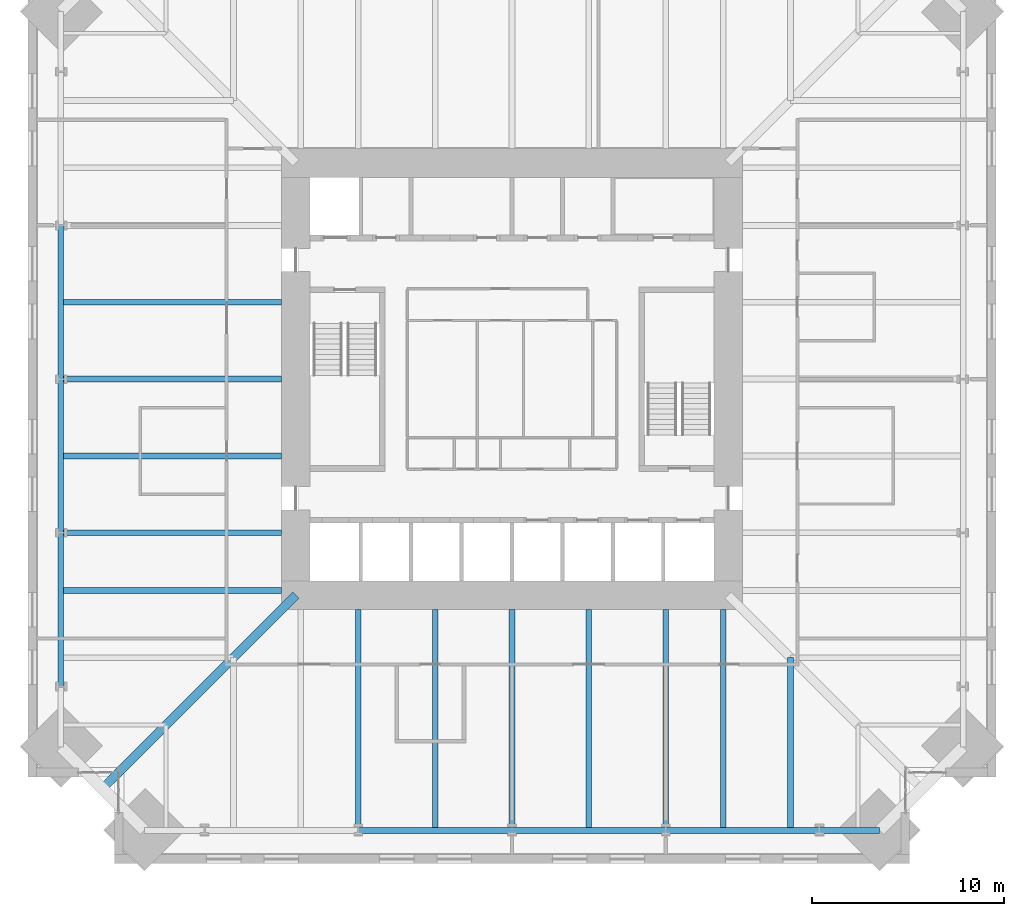
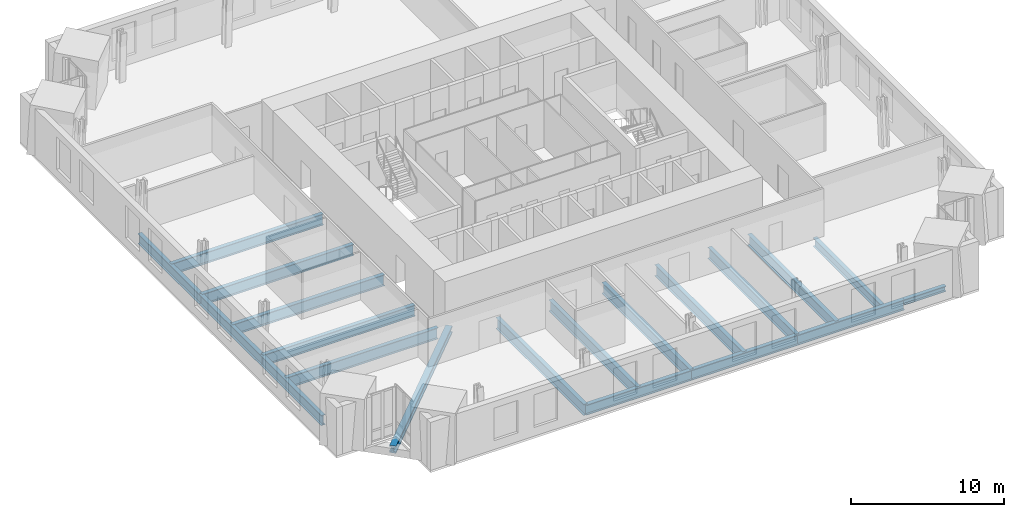
# One storey, part 3 of 15: 20 beams.
"""IFC4 building model written with IfcOpenShell, lengths in metres."""

import ifcopenshell
import ifcopenshell.guid

model = None  # the IFC model being written
_history = None  # IfcOwnerHistory: only IFC2X3 demands one
_inside = {}  # id of a spatial element -> (the spatial element, [elements in it])
_under = {}  # id of a project, library or spatial element -> (it, [spatial elements below it])
_declared = {}  # id of a project -> (the project, [libraries it declares])
_typed = {}  # id of a type object -> (the type object, [elements of that type])
_made_of = {}  # id of a material, layer set ... -> (it, [elements and type objects made of it])


def new_model(schema):
    """Start an empty IFC model of exactly this schema.

    Asked for "IFC4X3", IfcOpenShell would pick the latest addendum, in which some entities
    have other attributes; the version numbers below select the first issue.
    IFC2X3 requires an IfcOwnerHistory on every rooted entity: one is made here for all.
    """
    global model, _history
    if schema == "IFC4X3":
        model = ifcopenshell.file(schema_version=(4, 3, 0, 0))
    else:
        model = ifcopenshell.file(schema=schema)
    _inside.clear()
    _under.clear()
    _declared.clear()
    _typed.clear()
    _made_of.clear()
    _history = None
    if model.schema == "IFC2X3":
        org = make("IfcOrganization", Name="unknown")
        user = make(
            "IfcPersonAndOrganization",
            ThePerson=make("IfcPerson", FamilyName="unknown"),
            TheOrganization=org,
        )
        app = make(
            "IfcApplication",
            ApplicationDeveloper=org,
            Version="unknown",
            ApplicationFullName="unknown",
            ApplicationIdentifier="unknown",
        )
        _history = make(
            "IfcOwnerHistory",
            OwningUser=user,
            OwningApplication=app,
            ChangeAction="ADDED",
            CreationDate=0,
        )
    return model


def make(cls, **values):
    """One entity of the class cls with the attributes given. An attribute that is None is left unset."""
    return model.create_entity(
        cls, **{name: value for name, value in values.items() if value is not None}
    )


def rooted(cls, **values):
    """An entity with a GlobalId (a new one), such as an element, a storey or a relation."""
    return make(cls, GlobalId=ifcopenshell.guid.new(), OwnerHistory=_history, **values)


def si_unit(unit_type, name, prefix=None):
    """IfcSIUnit, for example si_unit("LENGTHUNIT", "METRE", prefix="MILLI")."""
    return make("IfcSIUnit", UnitType=unit_type, Prefix=prefix, Name=name)


def assignment(units):
    """IfcUnitAssignment: the units of a project."""
    return None if units is None else make("IfcUnitAssignment", Units=units)


def point(xyz):
    """IfcCartesianPoint."""
    return None if xyz is None else make("IfcCartesianPoint", Coordinates=xyz)


def direction(xyz):
    """IfcDirection."""
    return None if xyz is None else make("IfcDirection", DirectionRatios=xyz)


def frame(location, z_axis=None, x_axis=None):
    """IfcAxis2Placement3D, a coordinate frame: its origin and axes. An axis left out is left unset."""
    return make(
        "IfcAxis2Placement3D",
        Location=point(location),
        Axis=direction(z_axis),
        RefDirection=direction(x_axis),
    )


def frame_2d(location, x_axis=None):
    """IfcAxis2Placement2D, a coordinate frame in the plane: its origin and x axis."""
    return make(
        "IfcAxis2Placement2D", Location=point(location), RefDirection=direction(x_axis)
    )


def origin():
    """The frame at (0, 0, 0) with its axes left unset."""
    return frame((0.0, 0.0, 0.0))


def origin_2d():
    """The frame at (0, 0) in the plane with its x axis left unset."""
    return frame_2d((0.0, 0.0))


def place(relative_to, where):
    """IfcLocalPlacement: puts the frame where relative to a parent placement (None: the world)."""
    return make(
        "IfcLocalPlacement", PlacementRelTo=relative_to, RelativePlacement=where
    )


def context(
    kind, dimensions, precision=None, world=None, true_north=None, identifier=None
):
    """IfcGeometricRepresentationContext, for example the 3D "Model" context."""
    return make(
        "IfcGeometricRepresentationContext",
        ContextIdentifier=identifier,
        ContextType=kind,
        CoordinateSpaceDimension=dimensions,
        Precision=precision,
        WorldCoordinateSystem=world,
        TrueNorth=true_north,
    )


def subcontext(parent, identifier, kind, view, scale=None):
    """IfcGeometricRepresentationSubContext, for example "Body" below "Model"."""
    return make(
        "IfcGeometricRepresentationSubContext",
        ContextIdentifier=identifier,
        ContextType=kind,
        ParentContext=parent,
        TargetScale=scale,
        TargetView=view,
    )


def project(units=None, contexts=None):
    """IfcProject with its units and contexts."""
    return rooted(
        "IfcProject",
        Name="project",
        RepresentationContexts=contexts,
        UnitsInContext=assignment(units),
    )


def spatial(cls, under=None, at=None, **own):
    """A site, building, storey or space (cls), placed at a placement, below another one or the project."""
    s = rooted(cls, ObjectPlacement=at, **own)
    if under is not None:
        _under.setdefault(under.id(), (under, []))[1].append(s)
    return s


def profile(cls, at=None, kind="AREA", **sizes):
    """A parametric profile (cls). Its sizes go by their IFC names, for example OverallWidth=200.0."""
    return make(cls, ProfileType=kind, Position=at, **sizes)


def i_section(**sizes):
    """IfcIShapeProfileDef."""
    return profile("IfcIShapeProfileDef", **sizes)


def extrude(swept, where, along, depth):
    """IfcExtrudedAreaSolid: the profile swept, set in the frame where, extruded along a direction by depth."""
    return make(
        "IfcExtrudedAreaSolid",
        SweptArea=swept,
        Position=where,
        ExtrudedDirection=direction(along),
        Depth=depth,
    )


def shape(context_of_items, identifier, shape_type, items):
    """IfcShapeRepresentation: the items that make up one representation, for example the "Body"."""
    return make(
        "IfcShapeRepresentation",
        ContextOfItems=context_of_items,
        RepresentationIdentifier=identifier,
        RepresentationType=shape_type,
        Items=items,
    )


def material(Name=None, Category=None):
    """IfcMaterial."""
    return make("IfcMaterial", Name=Name, Category=Category)


def material_profile(
    of_material, cross_section, Name=None, Category=None, Priority=None
):
    """IfcMaterialProfile: a cross section and its material."""
    return make(
        "IfcMaterialProfile",
        Name=Name,
        Material=of_material,
        Profile=cross_section,
        Priority=Priority,
        Category=Category,
    )


def profile_set(profiles, Name=None, composite=None):
    """IfcMaterialProfileSet."""
    return make(
        "IfcMaterialProfileSet",
        Name=Name,
        MaterialProfiles=profiles,
        CompositeProfile=composite,
    )


def made_of(thing, what):
    """Note that an element or type object is made of a material, layer set ...; save() writes the relation."""
    if what is not None:
        _made_of.setdefault(what.id(), (what, []))[1].append(thing)
    return thing


def type_object(cls, material=None, **own):
    """A type object (cls), such as IfcWallType, which elements share."""
    return made_of(rooted(cls, **own), material)


def element(
    cls,
    number,
    at=None,
    inside=None,
    cuts=None,
    type_object=None,
    material=None,
    context=None,
    identifier="Body",
    shape_type=None,
    held_by="IfcProductDefinitionShape",
    body=None,
    shapes=None,
    **own,
):
    """One element of the class cls, such as IfcWall. Its Tag is "e" and its number.

    at: its placement. inside: the storey or other place that contains it. cuts: it is an
    opening in that element (IfcRelVoidsElement). A single representation is given by context,
    identifier, shape_type and body (its items); several are given by shapes. held_by: the class
    of the entity that holds the representations. save() writes the other relations.
    """
    e = rooted(cls, Tag="e%d" % number, ObjectPlacement=at, **own)
    if body is not None:
        shapes = [shape(context, identifier, shape_type, body)]
    if shapes is not None:
        e.Representation = make(held_by, Representations=shapes)
    if inside is not None:
        _inside.setdefault(inside.id(), (inside, []))[1].append(e)
    if cuts is not None:
        rooted(
            "IfcRelVoidsElement", RelatingBuildingElement=cuts, RelatedOpeningElement=e
        )
    if type_object is not None:
        _typed.setdefault(type_object.id(), (type_object, []))[1].append(e)
    return made_of(e, material)


def aggregate(whole, parts):
    """IfcRelAggregates: a whole, such as a stair, and the parts it consists of."""
    return rooted("IfcRelAggregates", RelatingObject=whole, RelatedObjects=parts)


def save(model, path):
    """Write the relations noted so far, then the file.

    IfcRelAggregates (storeys below a building ...), IfcRelContainedInSpatialStructure (elements
    in a storey), IfcRelDefinesByType, IfcRelAssociatesMaterial and IfcRelDeclares: one each for
    every whole, place, type object, material and project.
    """
    for whole, parts in _under.values():
        aggregate(whole, parts)
    for where, things in _inside.values():
        rooted(
            "IfcRelContainedInSpatialStructure",
            RelatedElements=things,
            RelatingStructure=where,
        )
    for kind, things in _typed.values():
        rooted("IfcRelDefinesByType", RelatedObjects=things, RelatingType=kind)
    for what, things in _made_of.values():
        rooted("IfcRelAssociatesMaterial", RelatedObjects=things, RelatingMaterial=what)
    for by, libraries in _declared.values():
        rooted("IfcRelDeclares", RelatingContext=by, RelatedDefinitions=libraries)
    model.write(path)


model = new_model("IFC4")

# Units and contexts
model_context = context("Model", 3, precision=1e-05, world=origin(), true_north=direction((0.0, 1.0)))
body_context = subcontext(model_context, "Body", "Model", "MODEL_VIEW")
ifc_project = project(units=[si_unit("LENGTHUNIT", "METRE"), si_unit("AREAUNIT", "SQUARE_METRE"), si_unit("VOLUMEUNIT", "CUBIC_METRE"), si_unit("PLANEANGLEUNIT", "RADIAN"), si_unit("MASSUNIT", "GRAM", prefix="KILO")], contexts=[model_context])

# Site, building, storey
site_placement = place(None, origin())
site = spatial("IfcSite", under=ifc_project, at=site_placement, CompositionType="ELEMENT")
building_placement = place(site_placement, origin())
building = spatial("IfcBuilding", under=site, at=building_placement, Name="Peilmerk Tower", CompositionType="ELEMENT")
storey_placement = place(building_placement, frame((0.0, 0.0, 183.800048828125)))
storey = spatial("IfcBuildingStorey", under=building, at=storey_placement, Name="L39", CompositionType="ELEMENT", Elevation=183.800048828125)

# Beams
ifc_material_1 = material(Name="Steel S355", Category="steel")
ifc_material_profile_1 = material_profile(ifc_material_1, i_section(OverallWidth=0.302978515625, OverallDepth=0.81396484375, WebThickness=0.02099609375, FlangeThickness=0.0400390625, at=origin_2d()), Name="HEM 800")
ifc_profile_set_1 = profile_set([ifc_material_profile_1], Name="Steel S355")
beam_type_1 = type_object("IfcBeamType", Name="B15 HEM 800 edge beam", PredefinedType="SPANDREL", material=ifc_profile_set_1)
for number, where, z_axis, x_axis, name in (
    (1, (-8.0, -23.485595703125, -0.5771484375), (1.0, 0.0, 0.0), (0.0, 1.0, 0.0), "Edge beam L39"),
    (2, (0.0, -23.485595703125, -0.5771484375), (1.0, 0.0, 0.0), (0.0, 1.0, 0.0), "Edge beam L39"),
    (3, (8.0, -23.485595703125, -0.5771484375), (1.0, 0.0, 0.0), (0.0, 1.0, 0.0), "Edge beam L39"),
    (4, (-23.485595703125, 8.0, -0.5771484375), (0.0, -1.0, 0.0), (1.0, 0.0, 0.0), "Edge beam L39"),
    (5, (-23.485595703125, 0.0, -0.5771484375), (0.0, -1.0, 0.0), (1.0, 0.0, 0.0), "Edge beam L39"),
    (6, (-23.485595703125, -8.0, -0.5771484375), (0.0, -1.0, 0.0), (1.0, 0.0, 0.0), "Edge beam L39"),
):
    element("IfcBeam", number, at=place(storey_placement, frame(where, z_axis=z_axis, x_axis=x_axis)), inside=storey, type_object=beam_type_1, Name=name, PredefinedType="SPANDREL", context=body_context, shape_type="SweptSolid", body=[
        extrude(i_section(OverallWidth=0.302978515625, OverallDepth=0.81396484375, WebThickness=0.02099609375, FlangeThickness=0.0400390625, at=origin_2d()), origin(), (0.0, 0.0, 1.0), 8.0),
    ])
ifc_material_profile_2 = material_profile(ifc_material_1, i_section(OverallWidth=0.300048828125, OverallDepth=0.68994140625, WebThickness=0.014404296875, FlangeThickness=0.027099609375, at=origin_2d()), Name="HEA 700")
ifc_profile_set_2 = profile_set([ifc_material_profile_2], Name="Steel S355")
beam_type_2 = type_object("IfcBeamType", Name="B16 HEA 700 floor beam", PredefinedType="BEAM", material=ifc_profile_set_2)
beam_1_placement = place(storey_placement, frame((14.5, -14.5, -0.51513671875), z_axis=(0.0, -1.0, 0.0), x_axis=(1.0, 0.0, 0.0)))
element("IfcBeam", 7, at=beam_1_placement, inside=storey, type_object=beam_type_2, Name="Floor beam L39", PredefinedType="BEAM", context=body_context, shape_type="SweptSolid", body=[
    extrude(i_section(OverallWidth=0.300048828125, OverallDepth=0.68994140625, WebThickness=0.014404296875, FlangeThickness=0.027099609375, at=origin_2d()), origin(), (0.0, 0.0, 1.0), 8.985595703125),
])
ifc_material_profile_3 = material_profile(ifc_material_1, i_section(OverallWidth=0.306884765625, OverallDepth=0.431884765625, WebThickness=0.02099609375, FlangeThickness=0.0400390625, at=origin_2d()), Name="HEM 400")
ifc_profile_set_3 = profile_set([ifc_material_profile_3], Name="Steel S355")
beam_type_3 = type_object("IfcBeamType", Name="B34 HEM 400 edge beam", PredefinedType="SPANDREL", material=ifc_profile_set_3)
beam_2_placement = place(storey_placement, frame((16.0, -23.485595703125, -0.385986328125), z_axis=(1.0, 0.0, 0.0), x_axis=(0.0, 1.0, 0.0)))
element("IfcBeam", 8, at=beam_2_placement, inside=storey, type_object=beam_type_3, Name="Edge beam L39", PredefinedType="SPANDREL", context=body_context, shape_type="SweptSolid", body=[
    extrude(i_section(OverallWidth=0.306884765625, OverallDepth=0.431884765625, WebThickness=0.02099609375, FlangeThickness=0.0400390625, at=origin_2d()), origin(), (0.0, 0.0, 1.0), 3.135498046875),
])
ifc_material_profile_4 = material_profile(ifc_material_1, i_section(OverallWidth=0.300048828125, OverallDepth=0.889892578125, WebThickness=0.01611328125, FlangeThickness=0.030029296875, at=origin_2d()), Name="HEA 900")
ifc_profile_set_4 = profile_set([ifc_material_profile_4], Name="Steel S355")
beam_type_4 = type_object("IfcBeamType", Name="B4 HEA 900 floor beam", PredefinedType="BEAM", material=ifc_profile_set_4)
for number, where, z_axis, x_axis, name in (
    (9, (-8.0, -12.0, -0.614990234375), (0.0, -1.0, 0.0), (1.0, 0.0, 0.0), "Floor beam L39"),
    (10, (-4.0, -12.0, -0.614990234375), (0.0, -1.0, 0.0), (1.0, 0.0, 0.0), "Floor beam L39"),
    (11, (0.0, -12.0, -0.614990234375), (0.0, -1.0, 0.0), (1.0, 0.0, 0.0), "Floor beam L39"),
    (12, (4.0, -12.0, -0.614990234375), (0.0, -1.0, 0.0), (1.0, 0.0, 0.0), "Floor beam L39"),
    (13, (8.0, -12.0, -0.614990234375), (0.0, -1.0, 0.0), (1.0, 0.0, 0.0), "Floor beam L39"),
    (14, (11.0, -12.0, -0.614990234375), (0.0, -1.0, 0.0), (1.0, 0.0, 0.0), "Floor beam L39"),
    (15, (-12.0, 4.0, -0.614990234375), (-1.0, 0.0, 0.0), (0.0, -1.0, 0.0), "Floor beam L39"),
    (16, (-12.0, 0.0, -0.614990234375), (-1.0, 0.0, 0.0), (0.0, -1.0, 0.0), "Floor beam L39"),
    (17, (-12.0, -4.0, -0.614990234375), (-1.0, 0.0, 0.0), (0.0, -1.0, 0.0), "Floor beam L39"),
    (18, (-12.0, -8.0, -0.614990234375), (-1.0, 0.0, 0.0), (0.0, -1.0, 0.0), "Floor beam L39"),
    (19, (-12.0, -11.0, -0.614990234375), (-1.0, 0.0, 0.0), (0.0, -1.0, 0.0), "Floor beam L39"),
):
    element("IfcBeam", number, at=place(storey_placement, frame(where, z_axis=z_axis, x_axis=x_axis)), inside=storey, type_object=beam_type_4, Name=name, PredefinedType="BEAM", context=body_context, shape_type="SweptSolid", body=[
        extrude(i_section(OverallWidth=0.300048828125, OverallDepth=0.889892578125, WebThickness=0.01611328125, FlangeThickness=0.030029296875, at=origin_2d()), origin(), (0.0, 0.0, 1.0), 11.485595703125),
    ])
ifc_material_2 = material(Name="Steel S460", Category="steel")
ifc_material_profile_5 = material_profile(ifc_material_2, i_section(OverallWidth=0.4541015625, OverallDepth=0.569091796875, WebThickness=0.077880859375, FlangeThickness=0.125, at=origin_2d()), Name="HD 400x1086")
ifc_profile_set_5 = profile_set([ifc_material_profile_5], Name="Steel S460")
beam_type_5 = type_object("IfcBeamType", Name="B9 HD 400x1086 corner girder", PredefinedType="BEAM", material=ifc_profile_set_5)
beam_3_placement = place(storey_placement, frame((-11.25, -11.25, -0.45458984375), z_axis=(-0.707106781187, -0.707106781187, 0.0), x_axis=(0.707106781187, -0.707106781187, 0.0)))
element("IfcBeam", 20, at=beam_3_placement, inside=storey, type_object=beam_type_5, Name="Corner girder L39", PredefinedType="BEAM", context=body_context, shape_type="SweptSolid", body=[
    extrude(i_section(OverallWidth=0.4541015625, OverallDepth=0.569091796875, WebThickness=0.077880859375, FlangeThickness=0.125, at=origin_2d()), origin(), (0.0, 0.0, 1.0), 14.227783203125),
])

save(model, "model.ifc")
